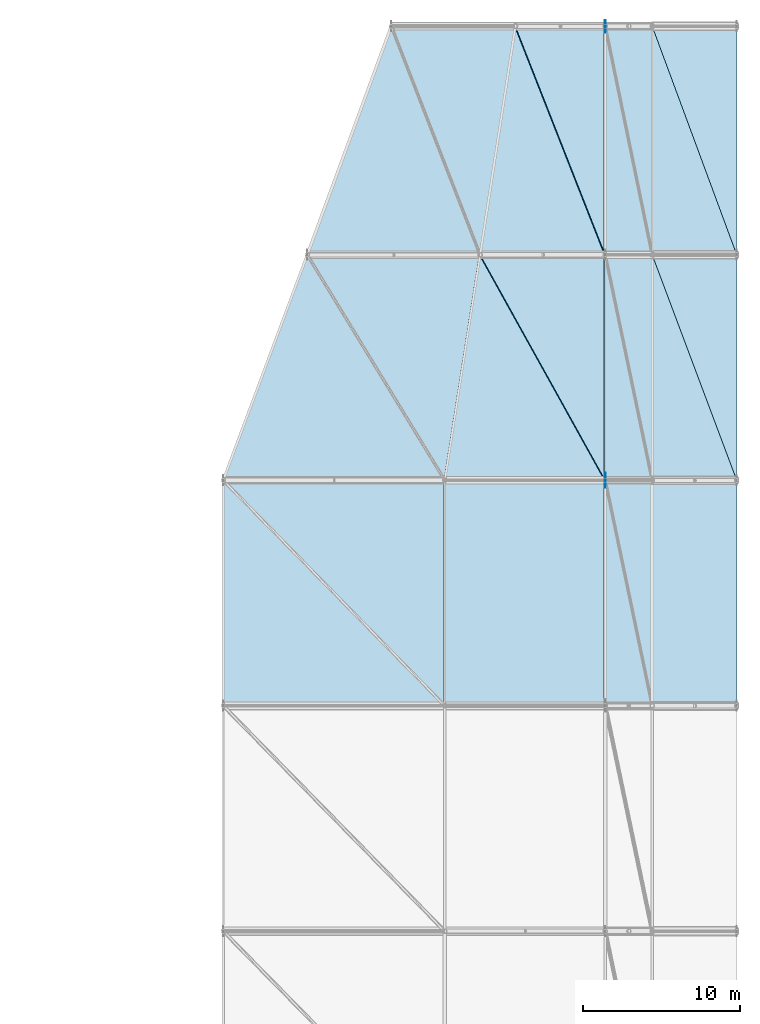
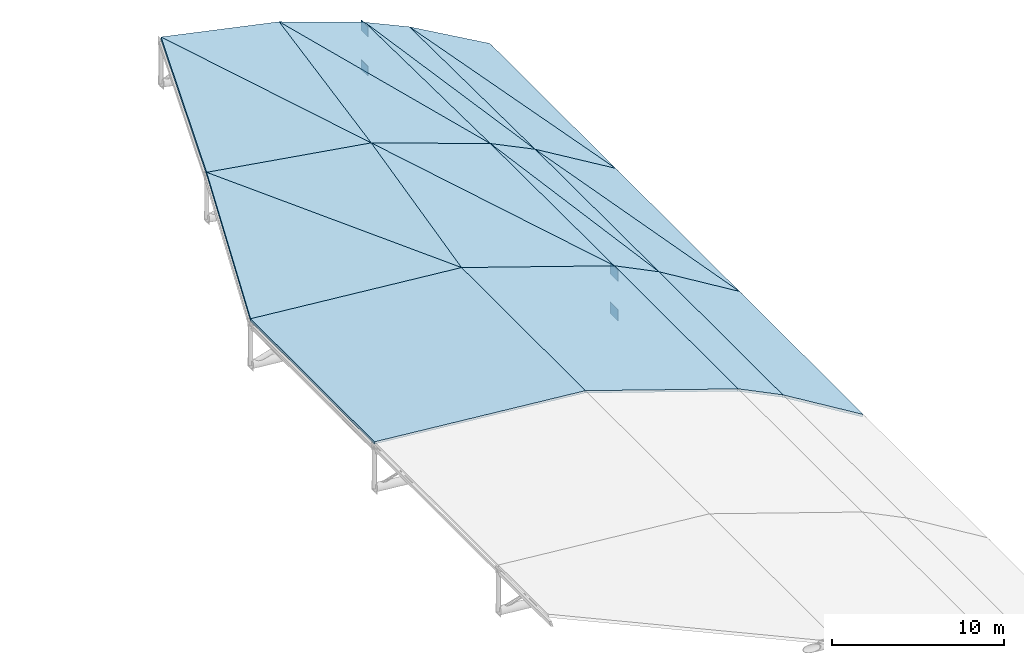
# One storey, part 29 of 36: 20 slabs, 4 plates.
"""IFC4 building model written with IfcOpenShell, lengths in metres."""

from ifc_helpers import new_model, si_unit, direction, frame, origin, origin_2d, place, context, subcontext, project, spatial, polyline, rectangle, outline, extrude, material, layer, layer_set, type_object, element, save


model = new_model("IFC4")

# Units and contexts
model_context = context("Model", 3, precision=1e-05, world=origin(), true_north=direction((0.0, 1.0)))
body_context = subcontext(model_context, "Body", "Model", "MODEL_VIEW")
ifc_project = project(units=[si_unit("LENGTHUNIT", "METRE"), si_unit("AREAUNIT", "SQUARE_METRE"), si_unit("VOLUMEUNIT", "CUBIC_METRE"), si_unit("PLANEANGLEUNIT", "RADIAN"), si_unit("MASSUNIT", "GRAM", prefix="KILO")], contexts=[model_context])

# Site, building, storey
site_placement = place(None, origin())
site = spatial("IfcSite", under=ifc_project, at=site_placement, CompositionType="ELEMENT")
building_placement = place(site_placement, origin())
building = spatial("IfcBuilding", under=site, at=building_placement, Name="Koshinbarg Plaza Stadium", CompositionType="ELEMENT")
storey_placement = place(building_placement, frame((0.0, 0.0, 34.199951171875)))
storey = spatial("IfcBuildingStorey", under=building, at=storey_placement, Name="RF", CompositionType="ELEMENT", Elevation=34.199951171875)

# Plates
ifc_material_1 = material(Name="Steel S355", Category="steel")
ifc_layer_1 = layer(ifc_material_1, 0.034912109375)
ifc_layer_set_1 = layer_set([ifc_layer_1], Name="Steel S355")
plate_type_1 = type_object("IfcPlateType", Name="PLT-GUS-02", PredefinedType="USERDEFINED", material=ifc_layer_set_1)
for number, where, z_axis, x_axis, name in (
    (1, (189.39990234375, 126.5, 2.0966796875), (0.0, 0.0, 1.0), (1.0, 0.0, 0.0), "Roof truss node cap plate KN-03 ERB-08-3T"),
    (2, (189.39990234375, 126.5, -0.703125), (0.0, 0.0, 1.0), (1.0, 0.0, 0.0), "Roof truss node cap plate KN-03 ERB-08-3B"),
):
    element("IfcPlate", number, at=place(storey_placement, frame(where, z_axis=z_axis, x_axis=x_axis)), inside=storey, type_object=plate_type_1, Name=name, ObjectType="GUSSET_PLATE", PredefinedType="USERDEFINED", context=body_context, shape_type="SweptSolid", body=[
        extrude(rectangle(XDim=0.034912109375, YDim=0.800048828125, at=origin_2d()), origin(), (0.0, 0.0, 1.0), 0.699951171875),
    ])
ifc_layer_2 = layer(ifc_material_1, 0.0380859375)
ifc_layer_set_2 = layer_set([ifc_layer_2], Name="Steel S355")
plate_type_2 = type_object("IfcPlateType", Name="PLT-GUS-03", PredefinedType="USERDEFINED", material=ifc_layer_set_2)
for number, where, z_axis, x_axis, name in (
    (3, (189.39990234375, 97.5, 2.35986328125), (0.0, 0.0, 1.0), (1.0, 0.0, 0.0), "Roof truss node cap plate KN-03 ERB-06-3T"),
    (4, (189.39990234375, 97.5, -0.43994140625), (0.0, 0.0, 1.0), (1.0, 0.0, 0.0), "Roof truss node cap plate KN-03 ERB-06-3B"),
):
    element("IfcPlate", number, at=place(storey_placement, frame(where, z_axis=z_axis, x_axis=x_axis)), inside=storey, type_object=plate_type_2, Name=name, ObjectType="GUSSET_PLATE", PredefinedType="USERDEFINED", context=body_context, shape_type="SweptSolid", body=[
        extrude(rectangle(XDim=0.0380859375, YDim=0.949951171875, at=origin_2d()), origin(), (0.0, 0.0, 1.0), 0.800048828125),
    ])

# Slabs
ifc_material_2 = material(Name="Precast concrete C40/50", Category="concrete")
ifc_layer_3 = layer(ifc_material_2, 0.159912109375)
ifc_layer_set_3 = layer_set([ifc_layer_3], Name="Precast concrete C40/50")
slab_type = type_object("IfcSlabType", Name="SL-BARRELDECK-160", PredefinedType="ROOF", material=ifc_layer_set_3)
slab_1_placement = place(storey_placement, frame((197.800048828125, 83.10009765625, -1.56005859375), z_axis=(0.519700630377, 0.0, 0.854348438745), x_axis=(-0.854348438745, 0.0, 0.519700630377)))
element("IfcSlab", 5, at=slab_1_placement, inside=storey, type_object=slab_type, Name="Quarter-barrel stand roof deck east bay 5.1", PredefinedType="ROOF", context=body_context, shape_type="SweptSolid", body=[
    extrude(outline(polyline([(0.0, 0.0), (6.3207776118944565, 0.0), (6.3207776118944565, -14.39990234375), (0.0, -14.39990234375), (0.0, 0.0)])), origin(), (0.0, 0.0, -1.0), 0.159912109375),
])
slab_2_placement = place(storey_placement, frame((192.39990234375, 83.10009765625, 1.724853515625), z_axis=(0.441244459257, 0.0, 0.897386943952), x_axis=(-0.897386943952, 0.0, 0.441244459257)))
element("IfcSlab", 6, at=slab_2_placement, inside=storey, type_object=slab_type, Name="Quarter-barrel stand roof deck east bay 5.2", PredefinedType="ROOF", context=body_context, shape_type="SweptSolid", body=[
    extrude(outline(polyline([(0.0, 0.0), (3.343039499538443, 0.0), (3.343039499538443, -14.399902343750004), (0.0, -14.399902343750004), (0.0, 0.0)])), origin(), (0.0, 0.0, -1.0), 0.159912109375),
])
slab_3_placement = place(storey_placement, frame((189.39990234375, 83.10009765625, 3.199951171875), z_axis=(0.319969871027, 0.0, 0.947427718422), x_axis=(-0.947427718422, 0.0, 0.319969871027)))
element("IfcSlab", 7, at=slab_3_placement, inside=storey, type_object=slab_type, Name="Quarter-barrel stand roof deck east bay 5.3", PredefinedType="ROOF", context=body_context, shape_type="SweptSolid", body=[
    extrude(outline(polyline([(0.0, 0.0), (10.816448088978655, 0.0), (10.816448088978655, -14.399902343750004), (0.0, -14.399902343750004), (0.0, 0.0)])), origin(), (0.0, 0.0, -1.0), 0.159912109375),
])
slab_4_placement = place(storey_placement, frame((179.152099609375, 83.10009765625, 6.660888671875), z_axis=(0.093248659413, 0.0, 0.995642851387), x_axis=(-0.995642851387, 0.0, 0.093248659413)))
element("IfcSlab", 8, at=slab_4_placement, inside=storey, type_object=slab_type, Name="Quarter-barrel stand roof deck east bay 5.4", PredefinedType="ROOF", context=body_context, shape_type="SweptSolid", body=[
    extrude(outline(polyline([(0.0, 0.0), (14.21403226032544, 0.0), (14.21403226032544, -14.399902343750004), (0.0, -14.399902343750004), (0.0, 0.0)])), origin(), (0.0, 0.0, -1.0), 0.159912109375),
])
slab_5_placement = place(storey_placement, frame((197.800048828125, 97.5, -1.56005859375), z_axis=(0.519698960716, 0.002534849555, 0.854345693949), x_axis=(-0.854348438745, 0.0, 0.519700630377)))
element("IfcSlab", 9, at=slab_5_placement, inside=storey, type_object=slab_type, Name="Quarter-barrel stand roof deck east bay 6.1A", PredefinedType="ROOF", context=body_context, shape_type="SweptSolid", body=[
    extrude(outline(polyline([(0.0, 0.0), (6.3207776118944565, 1.734723475976807e-18), (6.298573605469653, -14.399948606987513), (0.0, 0.0)])), origin(), (0.0, 0.0, -1.0), 0.159912109375),
])
slab_6_placement = place(storey_placement, frame((197.800048828125, 97.5, -1.56005859375), z_axis=(0.514740838237, 0.0, 0.857345828386), x_axis=(-0.343581845871, 0.916187188984, 0.206282694207)))
element("IfcSlab", 10, at=slab_6_placement, inside=storey, type_object=slab_type, Name="Quarter-barrel stand roof deck east bay 6.1B", PredefinedType="ROOF", context=body_context, shape_type="SweptSolid", body=[
    extrude(outline(polyline([(0.0, 0.0), (15.717205519665407, -1.1102230246251565e-15), (13.19300604996804, -5.7707693486261835), (0.0, 0.0)])), origin(), (0.0, 0.0, -1.0), 0.159912109375),
])
slab_7_placement = place(storey_placement, frame((192.39990234375, 97.5, 1.724853515625), z_axis=(0.441241059843, 0.003925333963, 0.897380030345), x_axis=(-0.897386943952, 0.0, 0.441244459257)))
element("IfcSlab", 11, at=slab_7_placement, inside=storey, type_object=slab_type, Name="Quarter-barrel stand roof deck east bay 6.2A", PredefinedType="ROOF", context=body_context, shape_type="SweptSolid", body=[
    extrude(outline(polyline([(0.0, 0.0), (3.343039499538443, 0.0), (3.3152462694387332, -14.400013283656104), (0.0, 0.0)])), origin(), (0.0, 0.0, -1.0), 0.159912109375),
])
slab_8_placement = place(storey_placement, frame((192.39990234375, 97.5, 1.724853515625), z_axis=(0.436342016951, 0.002669644334, 0.899776926378), x_axis=(-0.203022150186, 0.9744997121, 0.095563160537)))
element("IfcSlab", 12, at=slab_8_placement, inside=storey, type_object=slab_type, Name="Quarter-barrel stand roof deck east bay 6.2B", PredefinedType="ROOF", context=body_context, shape_type="SweptSolid", body=[
    extrude(outline(polyline([(0.0, 0.0), (14.776712773702398, 1.1102230246251565e-16), (14.028617789540723, -3.249137703570684), (0.0, 0.0)])), origin(), (0.0, 0.0, -1.0), 0.159912109375),
])
slab_9_placement = place(storey_placement, frame((189.39990234375, 97.5, 3.199951171875), z_axis=(0.319965139828, -0.005438065665, 0.947413709388), x_axis=(-0.947427718422, 0.0, 0.319969871027)))
element("IfcSlab", 13, at=slab_9_placement, inside=storey, type_object=slab_type, Name="Quarter-barrel stand roof deck east bay 6.3A", PredefinedType="ROOF", context=body_context, shape_type="SweptSolid", body=[
    extrude(outline(polyline([(0.0, 0.0), (10.816448088978655, 3.469446951953614e-18), (8.463405170676166, -14.400115269447507), (0.0, 0.0)])), origin(), (0.0, 0.0, -1.0), 0.159912109375),
])
slab_10_placement = place(storey_placement, frame((189.39990234375, 97.5, 3.199951171875), z_axis=(0.335332639714, 0.004120908436, 0.942090780581), x_axis=(-0.47855922362, 0.8621111184, 0.166569772224)))
element("IfcSlab", 14, at=slab_10_placement, inside=storey, type_object=slab_type, Name="Quarter-barrel stand roof deck east bay 6.3B", PredefinedType="ROOF", context=body_context, shape_type="SweptSolid", body=[
    extrude(outline(polyline([(0.0, 0.0), (16.70306998298227, 4.440892098500626e-16), (12.403823970767151, -7.314800471327552), (0.0, 0.0)])), origin(), (0.0, 0.0, -1.0), 0.159912109375),
])
slab_11_placement = place(storey_placement, frame((179.152099609375, 97.5, 6.660888671875), z_axis=(0.093231722753, -0.019058462164, 0.995462013787), x_axis=(-0.995642851387, 0.0, 0.093248659413)))
element("IfcSlab", 15, at=slab_11_placement, inside=storey, type_object=slab_type, Name="Quarter-barrel stand roof deck east bay 6.4A", PredefinedType="ROOF", context=body_context, shape_type="SweptSolid", body=[
    extrude(outline(polyline([(0.0, 0.0), (14.21403226032544, 0.0), (8.848328982323393, -14.402518258516583), (0.0, 0.0)])), origin(), (0.0, 0.0, -1.0), 0.159912109375),
])
slab_12_placement = place(storey_placement, frame((179.152099609375, 97.5, 6.660888671875), z_axis=(0.158906167474, 0.021645200421, 0.987056389087), x_axis=(-0.519668918426, 0.851893055771, 0.064980279711)))
element("IfcSlab", 16, at=slab_12_placement, inside=storey, type_object=slab_type, Name="Quarter-barrel stand roof deck east bay 6.4B", PredefinedType="ROOF", context=body_context, shape_type="SweptSolid", body=[
    extrude(outline(polyline([(0.0, 0.0), (16.9034155710119, -3.885780586188048e-16), (11.051535216092939, -9.526998484108542), (0.0, 0.0)])), origin(), (0.0, 0.0, -1.0), 0.159912109375),
])
slab_13_placement = place(storey_placement, frame((197.800048828125, 111.89990234375, -1.56005859375), z_axis=(0.514715582304, 0.009905971369, 0.857303762423), x_axis=(-0.857345828386, 0.0, 0.514740838237)))
element("IfcSlab", 17, at=slab_13_placement, inside=storey, type_object=slab_type, Name="Quarter-barrel stand roof deck east bay 7.1A", PredefinedType="ROOF", context=body_context, shape_type="SweptSolid", body=[
    extrude(outline(polyline([(0.0, 0.0), (6.298679372524365, -6.938893903907228e-18), (6.211841989901844, -14.600814050127756), (0.0, 0.0)])), origin(), (0.0, 0.0, -1.0), 0.159912109375),
])
slab_14_placement = place(storey_placement, frame((197.800048828125, 111.89990234375, -1.56005859375), z_axis=(0.494644511145, 0.0, 0.869095396141), x_axis=(-0.340332091174, 0.920138329779, 0.193699565794)))
element("IfcSlab", 18, at=slab_14_placement, inside=storey, type_object=slab_type, Name="Quarter-barrel stand roof deck east bay 7.1B", PredefinedType="ROOF", context=body_context, shape_type="SweptSolid", body=[
    extrude(outline(polyline([(0.0, 0.0), (15.867285584935933, -2.220446049250313e-16), (13.43410947203276, -5.717303058739878), (0.0, 0.0)])), origin(), (0.0, 0.0, -1.0), 0.159912109375),
])
slab_15_placement = place(storey_placement, frame((192.39990234375, 111.89990234375, 1.68212890625), z_axis=(0.436291690637, 0.015420303295, 0.899673148942), x_axis=(-0.899780132751, 0.0, 0.436343571864)))
element("IfcSlab", 19, at=slab_15_placement, inside=storey, type_object=slab_type, Name="Quarter-barrel stand roof deck east bay 7.2A", PredefinedType="ROOF", context=body_context, shape_type="SweptSolid", body=[
    extrude(outline(polyline([(0.0, 0.0), (3.334147855463587, 0.0), (3.224955433305288, -14.60183381349401), (0.0, 0.0)])), origin(), (0.0, 0.0, -1.0), 0.159912109375),
])
slab_16_placement = place(storey_placement, frame((192.39990234375, 111.89990234375, 1.68212890625), z_axis=(0.416203643504, 0.0105057459, 0.909210732689), x_axis=(-0.200618910731, 0.976351896122, 0.080554500777)))
element("IfcSlab", 20, at=slab_16_placement, inside=storey, type_object=slab_type, Name="Quarter-barrel stand roof deck east bay 7.2B", PredefinedType="ROOF", context=body_context, shape_type="SweptSolid", body=[
    extrude(outline(polyline([(0.0, 0.0), (14.953724895948246, -2.7755575615628914e-16), (14.24124339156924, -3.2215366394803233), (0.0, 0.0)])), origin(), (0.0, 0.0, -1.0), 0.159912109375),
])
slab_17_placement = place(storey_placement, frame((189.39990234375, 111.89990234375, 3.136962890625), z_axis=(0.335292554774, 0.016001225728, 0.941978165081), x_axis=(-0.942098779922, 0.0, 0.335335487041)))
element("IfcSlab", 21, at=slab_17_placement, inside=storey, type_object=slab_type, Name="Quarter-barrel stand roof deck east bay 7.3A", PredefinedType="ROOF", context=body_context, shape_type="SweptSolid", body=[
    extrude(outline(polyline([(0.0, 0.0), (8.484681620949686, 0.0), (6.008306905783806, -14.601967114091584), (0.0, 0.0)])), origin(), (0.0, 0.0, -1.0), 0.159912109375),
])
slab_18_placement = place(storey_placement, frame((189.39990234375, 111.89990234375, 3.136962890625), z_axis=(0.335617293037, 0.016143382986, 0.941860087168), x_axis=(-0.363448321386, 0.92465483347, 0.113660708351)))
element("IfcSlab", 22, at=slab_18_placement, inside=storey, type_object=slab_type, Name="Quarter-barrel stand roof deck east bay 7.3B", PredefinedType="ROOF", context=body_context, shape_type="SweptSolid", body=[
    extrude(outline(polyline([(0.0, 0.0), (15.789781362485723, -3.3306690738754696e-16), (13.471607940694918, -5.633937627819425), (0.0, 0.0)])), origin(), (0.0, 0.0, -1.0), 0.159912109375),
])
slab_19_placement = place(storey_placement, frame((181.406494140625, 111.89990234375, 5.982177734375), z_axis=(0.158917290677, 0.018126728142, 0.987125481614), x_axis=(-0.987287695583, 0.0, 0.158943405497)))
element("IfcSlab", 23, at=slab_19_placement, inside=storey, type_object=slab_type, Name="Quarter-barrel stand roof deck east bay 7.4A", PredefinedType="ROOF", context=body_context, shape_type="SweptSolid", body=[
    extrude(outline(polyline([(0.0, 0.0), (11.180706766769843, -6.938893903907228e-18), (5.700808972539418, -14.602496884954629), (0.0, 0.0)])), origin(), (0.0, 0.0, -1.0), 0.159912109375),
])
slab_20_placement = place(storey_placement, frame((181.406494140625, 111.89990234375, 5.982177734375), z_axis=(0.209034175303, 0.03803092928, 0.977168543279), x_axis=(-0.361729138383, 0.931375438456, 0.04113177708)))
element("IfcSlab", 24, at=slab_20_placement, inside=storey, type_object=slab_type, Name="Quarter-barrel stand roof deck east bay 7.4B", PredefinedType="ROOF", context=body_context, shape_type="SweptSolid", body=[
    extrude(outline(polyline([(0.0, 0.0), (15.675845693821291, 2.498001805406602e-16), (12.73939339374924, -7.5536568157564075), (0.0, 0.0)])), origin(), (0.0, 0.0, -1.0), 0.159912109375),
])

save(model, "model.ifc")
